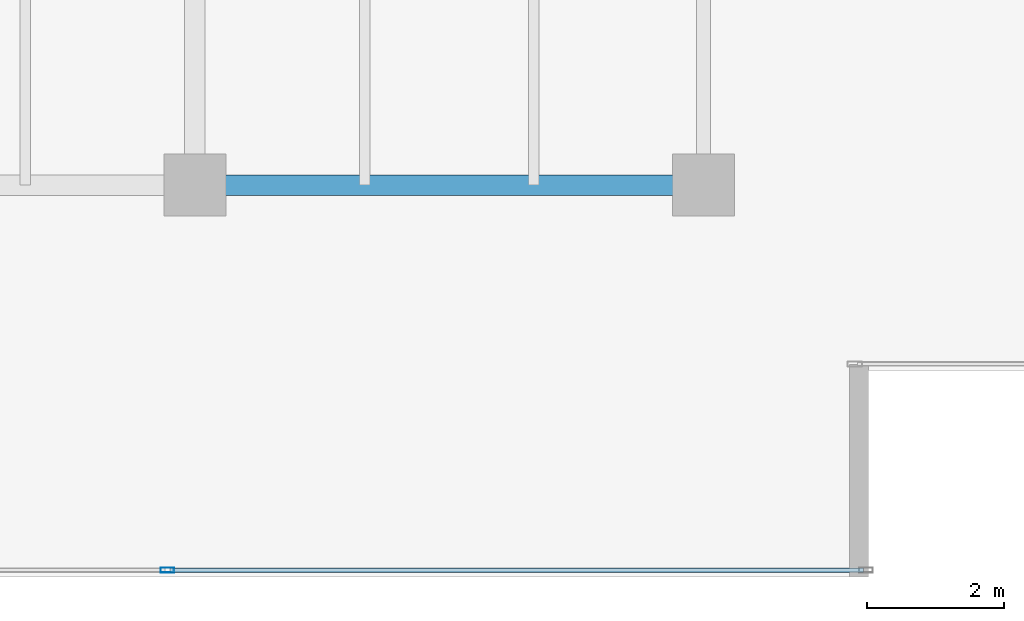
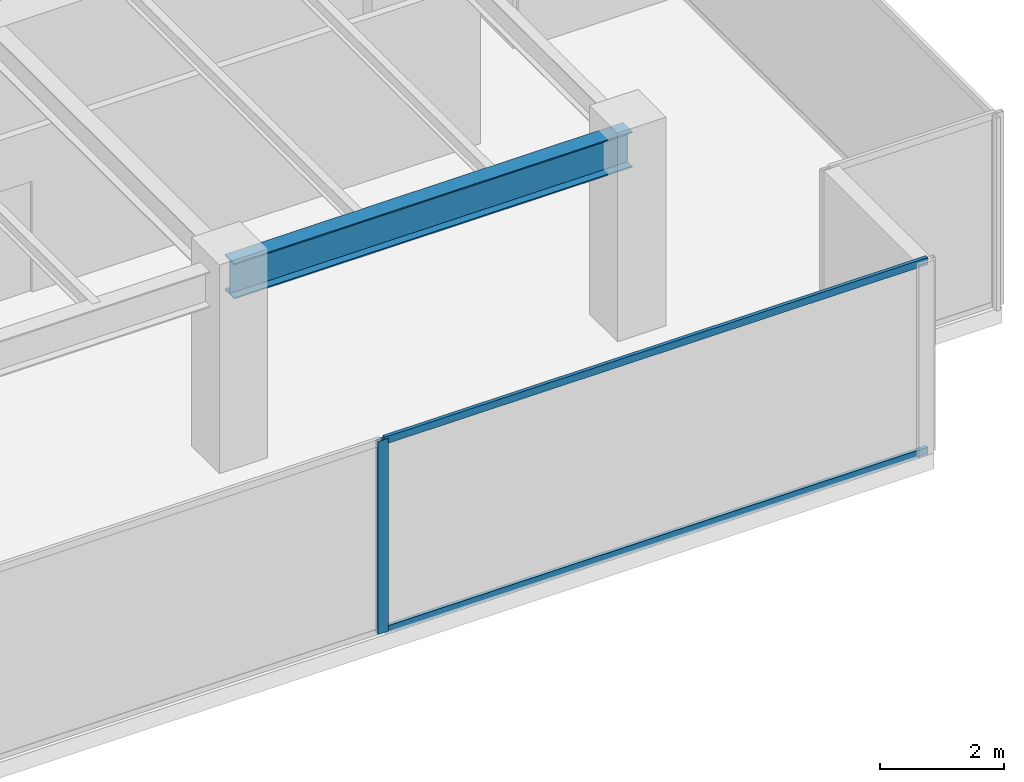
# One storey, part 12 of 31: 3 members, 1 beam, 1 element without a shape of its own.
"""IFC4 building model written with IfcOpenShell, lengths in metres."""

from ifc_helpers import new_model, si_unit, direction, frame, origin, origin_2d, place, context, subcontext, project, spatial, hollow_rectangle, i_section, extrude, source, transform, mapped, material, layer, layer_set, material_profile, profile_set, type_object, type_shapes, element, aggregate, save


model = new_model("IFC4")

# Units and contexts
model_context = context("Model", 3, precision=1e-05, world=origin(), true_north=direction((0.0, 1.0)))
body_context = subcontext(model_context, "Body", "Model", "MODEL_VIEW")
ifc_project = project(units=[si_unit("LENGTHUNIT", "METRE"), si_unit("AREAUNIT", "SQUARE_METRE"), si_unit("VOLUMEUNIT", "CUBIC_METRE"), si_unit("PLANEANGLEUNIT", "RADIAN"), si_unit("MASSUNIT", "GRAM", prefix="KILO")], contexts=[model_context])

# Site, building, storey
site_placement = place(None, origin())
site = spatial("IfcSite", under=ifc_project, at=site_placement, CompositionType="ELEMENT")
building_placement = place(site_placement, origin())
building = spatial("IfcBuilding", under=site, at=building_placement, Name="Haelvirn Gate Laboratories", CompositionType="ELEMENT")
storey_placement = place(building_placement, frame((0.0, 0.0, 150.199951171875)))
storey = spatial("IfcBuildingStorey", under=building, at=storey_placement, Name="L36", CompositionType="ELEMENT", Elevation=150.199951171875)

# Beam
ifc_material_1 = material(Name="Steel SM355", Category="steel")
ifc_material_profile_1 = material_profile(ifc_material_1, i_section(OverallWidth=0.300048828125, OverallDepth=0.699951171875, WebThickness=0.012939453125, FlangeThickness=0.02392578125, at=origin_2d()), Name="H-700x300x13x24")
ifc_profile_set_1 = profile_set([ifc_material_profile_1], Name="Steel SM355")
beam_type = type_object("IfcBeamType", Name="BM-G-700", PredefinedType="BEAM", material=ifc_profile_set_1)
shared_shape_1 = source(origin(), body_context, "Body", "SweptSolid", [
    extrude(i_section(OverallWidth=0.300048828125, OverallDepth=0.699951171875, WebThickness=0.012939453125, FlangeThickness=0.02392578125, at=origin_2d()), origin(), (0.0, 0.0, 1.0), 7.39990234375),
])
type_shapes(beam_type, [shared_shape_1])
beam_placement = place(storey_placement, frame((60.0, 7.0, 3.43994140625), z_axis=(1.0, 0.0, 0.0), x_axis=(0.0, 1.0, 0.0)))
element("IfcBeam", 1, at=beam_placement, inside=storey, type_object=beam_type, Name="L36 Primary Girder Y7.0 (60.0-67.4)", PredefinedType="BEAM", context=body_context, shape_type="MappedRepresentation", body=[
    mapped(shared_shape_1, transform((0.0, 0.0, 0.0), scale=1.0)),
])

# Curtain wall, members
ifc_material_2 = material(Name="Anodised bronze unitised aluminium & triple low-E glass", Category="aluminium")
ifc_layer = layer(ifc_material_2, 0.179931640625, Name="CW-SYS-3")
ifc_layer_set = layer_set([ifc_layer], Name="Anodised bronze unitised aluminium & triple low-E glass")
curtain_wall_type = type_object("IfcCurtainWallType", Name="CW-SYS-3", PredefinedType="NOTDEFINED", material=ifc_layer_set)
curtain_wall_placement = place(storey_placement, origin())
curtain_wall = element("IfcCurtainWall", 2, at=curtain_wall_placement, inside=storey, type_object=curtain_wall_type, Name="L36 Unitised Curtain Wall CW-L36-P0-E04-1", PredefinedType="NOTDEFINED")
ifc_material_3 = material(Name="Extruded aluminium 6063-T6 (anodised bronze)", Category="aluminium")
ifc_material_profile_2 = material_profile(ifc_material_3, hollow_rectangle(XDim=0.06494140625, YDim=0.139892578125, WallThickness=0.00390625, at=origin_2d()), Name="CWT-140x65x4")
ifc_profile_set_2 = profile_set([ifc_material_profile_2], Name="Extruded aluminium 6063-T6 (anodised bronze)")
member_type_1 = type_object("IfcMemberType", Name="CWT-T140", PredefinedType="USERDEFINED", material=ifc_profile_set_2)
shared_shape_2 = source(origin(), body_context, "Body", "SweptSolid", [
    extrude(hollow_rectangle(XDim=0.06494140625, YDim=0.139892578125, WallThickness=0.00390625, at=origin_2d()), origin(), (0.0, 0.0, 1.0), 10.087646484375),
])
type_shapes(member_type_1, [shared_shape_2])
member_1_placement = place(storey_placement, frame((59.637451171875, 1.39990234375, 0.032470703125), z_axis=(1.0, 0.0, 0.0), x_axis=(0.0, 1.0, 0.0)))
member_1 = element("IfcMember", 3, at=member_1_placement, type_object=member_type_1, Name="CW3 transom 2.1", ObjectType="TRANSOM", PredefinedType="USERDEFINED", context=body_context, shape_type="MappedRepresentation", body=[
    mapped(shared_shape_2, transform((0.0, 0.0, 0.0), scale=1.0)),
])
member_2_placement = place(storey_placement, frame((59.637451171875, 1.39990234375, 3.757568359375), z_axis=(1.0, 0.0, 0.0), x_axis=(0.0, 1.0, 0.0)))
member_2 = element("IfcMember", 4, at=member_2_placement, type_object=member_type_1, Name="CW3 transom 2.2", ObjectType="TRANSOM", PredefinedType="USERDEFINED", context=body_context, shape_type="MappedRepresentation", body=[
    mapped(shared_shape_2, transform((0.0, 0.0, 0.0), scale=1.0)),
])
ifc_material_profile_3 = material_profile(ifc_material_3, hollow_rectangle(XDim=0.074951171875, YDim=0.199951171875, WallThickness=0.0048828125, at=origin_2d()), Name="CWM-200x75x5")
ifc_profile_set_3 = profile_set([ifc_material_profile_3], Name="Extruded aluminium 6063-T6 (anodised bronze)")
member_type_2 = type_object("IfcMemberType", Name="CWM-T200", PredefinedType="MULLION", material=ifc_profile_set_3)
shared_shape_3 = source(origin(), body_context, "Body", "SweptSolid", [
    extrude(hollow_rectangle(XDim=0.074951171875, YDim=0.199951171875, WallThickness=0.0048828125, at=origin_2d()), origin(), (0.0, 0.0, 1.0), 3.7900390625),
])
type_shapes(member_type_2, [shared_shape_3])
member_3_placement = place(storey_placement, frame((59.60009765625, 1.39990234375, 0.0), z_axis=(0.0, 0.0, 1.0), x_axis=(0.0, 1.0, 0.0)))
member_3 = element("IfcMember", 5, at=member_3_placement, type_object=member_type_2, Name="CW3 mullion 2", PredefinedType="MULLION", context=body_context, shape_type="MappedRepresentation", body=[
    mapped(shared_shape_3, transform((0.0, 0.0, 0.0), scale=1.0)),
])
aggregate(curtain_wall, [member_3, member_1, member_2])

save(model, "model.ifc")
